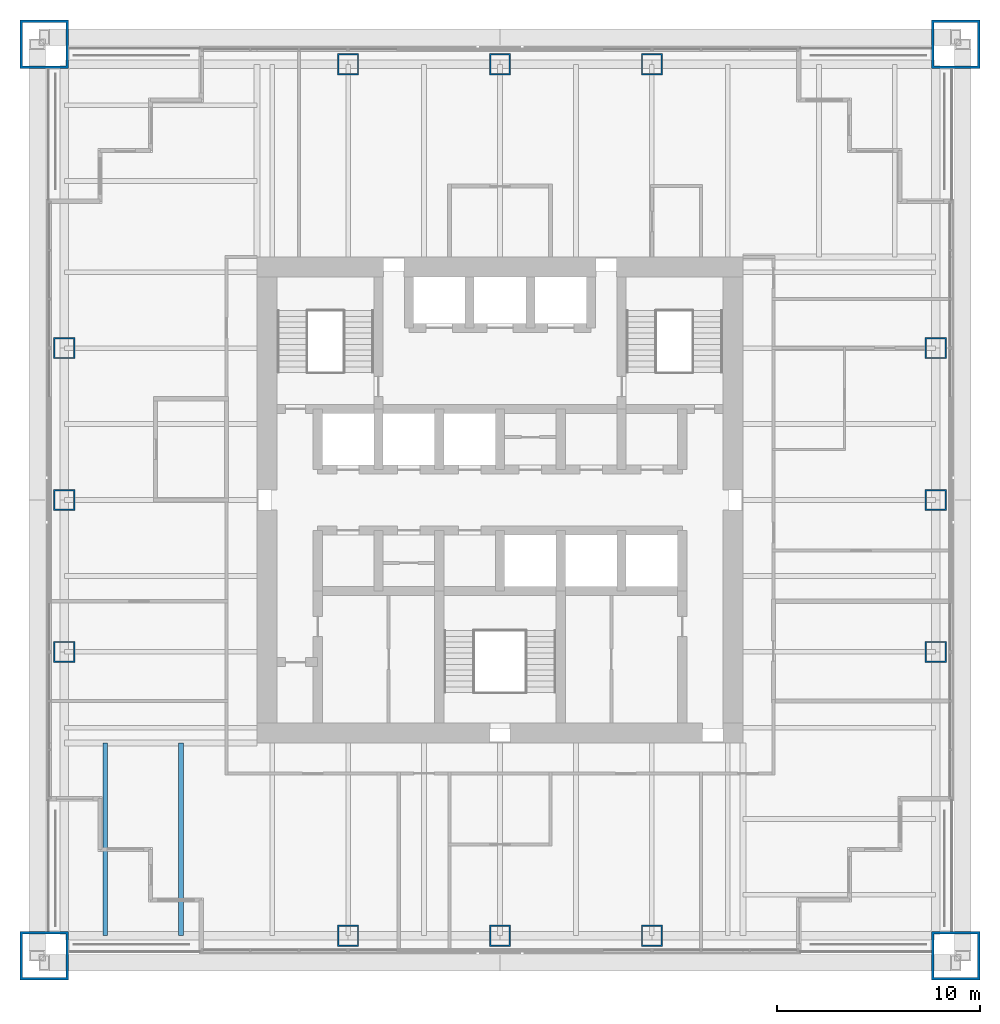
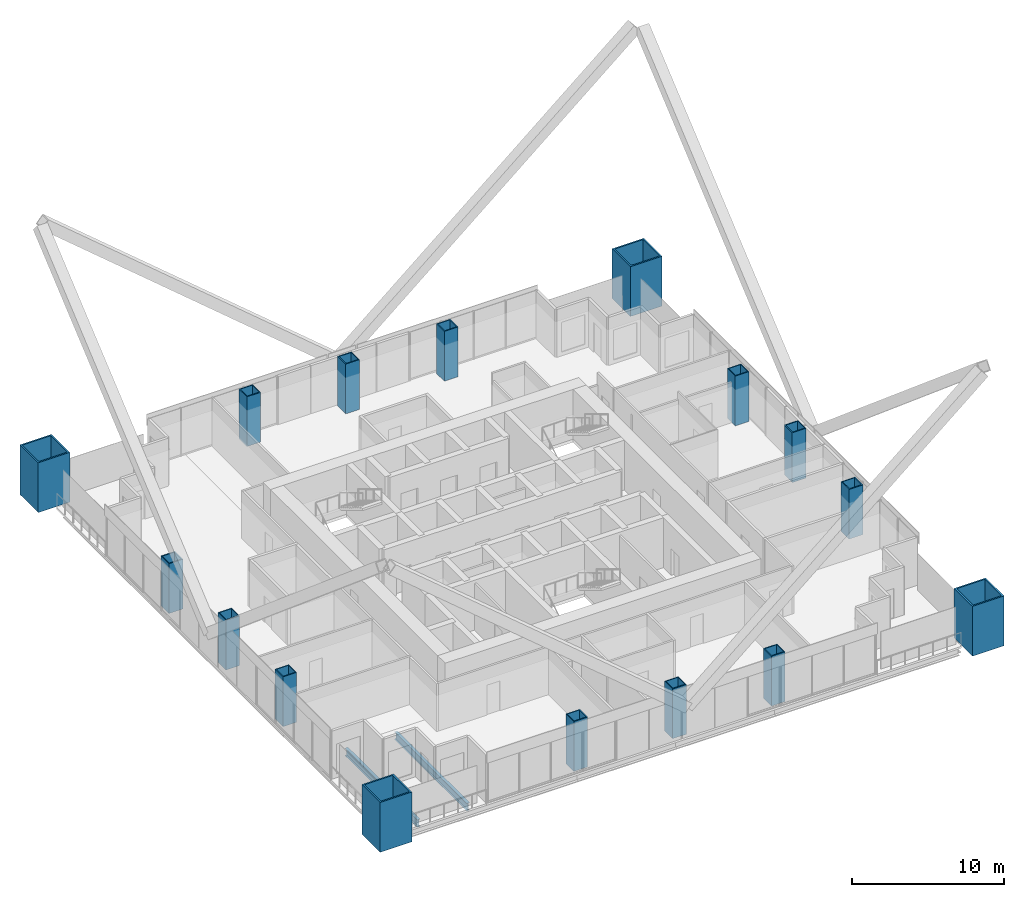
# One storey, part 1 of 19: 16 columns, 2 beams.
"""IFC4 building model written with IfcOpenShell, lengths in metres."""

from ifc_helpers import new_model, si_unit, direction, frame, origin, origin_2d, place, context, subcontext, project, spatial, hollow_rectangle, i_section, extrude, material, material_profile, profile_set, type_object, element, save


model = new_model("IFC4")

# Units and contexts
model_context = context("Model", 3, precision=1e-05, world=origin(), true_north=direction((0.0, 1.0)))
body_context = subcontext(model_context, "Body", "Model", "MODEL_VIEW")
ifc_project = project(units=[si_unit("LENGTHUNIT", "METRE"), si_unit("AREAUNIT", "SQUARE_METRE"), si_unit("VOLUMEUNIT", "CUBIC_METRE"), si_unit("PLANEANGLEUNIT", "RADIAN"), si_unit("MASSUNIT", "GRAM", prefix="KILO")], contexts=[model_context])

# Site, building, storey
site_placement = place(None, origin())
site = spatial("IfcSite", under=ifc_project, at=site_placement, CompositionType="ELEMENT")
building_placement = place(site_placement, origin())
building = spatial("IfcBuilding", under=site, at=building_placement, Name="Tarangal Relay Tower", CompositionType="ELEMENT")
storey_placement = place(building_placement, frame((0.0, 0.0, 193.89990234375)))
storey = spatial("IfcBuildingStorey", under=building, at=storey_placement, Name="L40", CompositionType="ELEMENT", Elevation=193.89990234375)

# Columns
ifc_material_1 = material(Name="Steel ASTM A572 Grade 42", Category="steel")
ifc_material_profile_1 = material_profile(ifc_material_1, hollow_rectangle(XDim=2.39990234375, YDim=2.39990234375, WallThickness=0.1201171875, at=origin_2d()), Name="BOX2400X2400X120")
ifc_profile_set_1 = profile_set([ifc_material_profile_1], Name="Steel ASTM A572 Grade 42")
column_type_1 = type_object("IfcColumnType", Name="Mega column BOX2400X2400X120", PredefinedType="COLUMN", material=ifc_profile_set_1)
for number, where, z_axis, x_axis, name in (
    (1, (22.5, 22.5, 0.0), (0.0, 0.0, 1.0), (1.0, 0.0, 0.0), "Mega column MC3 NE L40"),
    (2, (22.5, -22.5, 0.0), (0.0, 0.0, 1.0), (1.0, 0.0, 0.0), "Mega column MC3 SE L40"),
    (3, (-22.5, -22.5, 0.0), (0.0, 0.0, 1.0), (1.0, 0.0, 0.0), "Mega column MC3 SW L40"),
    (4, (-22.5, 22.5, 0.0), (0.0, 0.0, 1.0), (1.0, 0.0, 0.0), "Mega column MC3 NW L40"),
):
    element("IfcColumn", number, at=place(storey_placement, frame(where, z_axis=z_axis, x_axis=x_axis)), inside=storey, type_object=column_type_1, Name=name, PredefinedType="COLUMN", context=body_context, shape_type="SweptSolid", body=[
        extrude(hollow_rectangle(XDim=2.39990234375, YDim=2.39990234375, WallThickness=0.1201171875, at=origin_2d()), origin(), (0.0, 0.0, 1.0), 4.0),
    ])
ifc_material_2 = material(Name="Steel ASTM A572 Grade 50", Category="steel")
ifc_material_profile_2 = material_profile(ifc_material_2, hollow_rectangle(XDim=1.050048828125, YDim=1.050048828125, WallThickness=0.070068359375, at=origin_2d()), Name="BOX1050X1050X70")
ifc_profile_set_2 = profile_set([ifc_material_profile_2], Name="Steel ASTM A572 Grade 50")
column_type_2 = type_object("IfcColumnType", Name="Perimeter column BOX1050X1050X70", PredefinedType="COLUMN", material=ifc_profile_set_2)
for number, where, z_axis, x_axis, name in (
    (5, (-7.5, 21.514892578125, 0.0), (0.0, 0.0, 1.0), (1.0, 0.0, 0.0), "Perimeter column PC4 N L40"),
    (6, (0.0, 21.514892578125, 0.0), (0.0, 0.0, 1.0), (1.0, 0.0, 0.0), "Perimeter column PC4 N L40"),
    (7, (7.5, 21.514892578125, 0.0), (0.0, 0.0, 1.0), (1.0, 0.0, 0.0), "Perimeter column PC4 N L40"),
    (8, (21.514892578125, 7.5, 0.0), (0.0, 0.0, 1.0), (1.0, 0.0, 0.0), "Perimeter column PC4 E L40"),
    (9, (21.514892578125, 0.0, 0.0), (0.0, 0.0, 1.0), (1.0, 0.0, 0.0), "Perimeter column PC4 E L40"),
    (10, (21.514892578125, -7.5, 0.0), (0.0, 0.0, 1.0), (1.0, 0.0, 0.0), "Perimeter column PC4 E L40"),
    (11, (7.5, -21.514892578125, 0.0), (0.0, 0.0, 1.0), (1.0, 0.0, 0.0), "Perimeter column PC4 S L40"),
    (12, (0.0, -21.514892578125, 0.0), (0.0, 0.0, 1.0), (1.0, 0.0, 0.0), "Perimeter column PC4 S L40"),
    (13, (-7.5, -21.514892578125, 0.0), (0.0, 0.0, 1.0), (1.0, 0.0, 0.0), "Perimeter column PC4 S L40"),
    (14, (-21.514892578125, -7.5, 0.0), (0.0, 0.0, 1.0), (1.0, 0.0, 0.0), "Perimeter column PC4 W L40"),
    (15, (-21.514892578125, 0.0, 0.0), (0.0, 0.0, 1.0), (1.0, 0.0, 0.0), "Perimeter column PC4 W L40"),
    (16, (-21.514892578125, 7.5, 0.0), (0.0, 0.0, 1.0), (1.0, 0.0, 0.0), "Perimeter column PC4 W L40"),
):
    element("IfcColumn", number, at=place(storey_placement, frame(where, z_axis=z_axis, x_axis=x_axis)), inside=storey, type_object=column_type_2, Name=name, PredefinedType="COLUMN", context=body_context, shape_type="SweptSolid", body=[
        extrude(hollow_rectangle(XDim=1.050048828125, YDim=1.050048828125, WallThickness=0.070068359375, at=origin_2d()), origin(), (0.0, 0.0, 1.0), 4.0),
    ])

# Beams
ifc_material_3 = material(Name="Steel ASTM A992", Category="steel")
ifc_material_profile_3 = material_profile(ifc_material_3, i_section(OverallWidth=0.227783203125, OverallDepth=0.60205078125, WebThickness=0.010498046875, FlangeThickness=0.014892578125, at=origin_2d()), Name="W24X68")
ifc_profile_set_3 = profile_set([ifc_material_profile_3], Name="Steel ASTM A992")
beam_type = type_object("IfcBeamType", Name="Corner beam W24X68", PredefinedType="JOIST", material=ifc_profile_set_3)
for number, where, z_axis, x_axis, name in (
    (17, (-15.75, -12.0, -0.450927734375), (0.0, -1.0, 0.0), (1.0, 0.0, 0.0), "Corner beam CB11 S L40"),
    (18, (-19.5, -12.0, -0.450927734375), (0.0, -1.0, 0.0), (1.0, 0.0, 0.0), "Corner beam CB11 S L40"),
):
    element("IfcBeam", number, at=place(storey_placement, frame(where, z_axis=z_axis, x_axis=x_axis)), inside=storey, type_object=beam_type, Name=name, PredefinedType="JOIST", context=body_context, shape_type="SweptSolid", body=[
        extrude(i_section(OverallWidth=0.227783203125, OverallDepth=0.60205078125, WebThickness=0.010498046875, FlangeThickness=0.014892578125, at=origin_2d()), origin(), (0.0, 0.0, 1.0), 9.514892578125),
    ])

save(model, "model.ifc")
